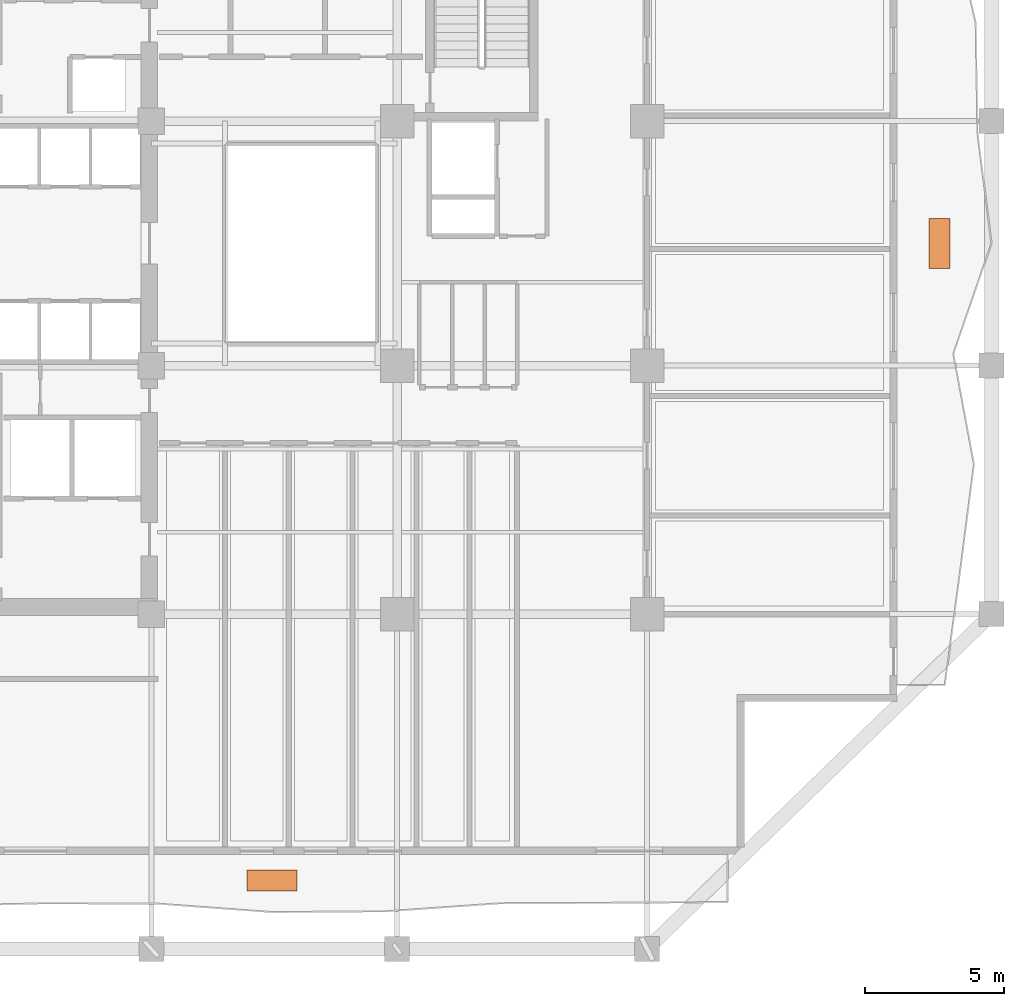
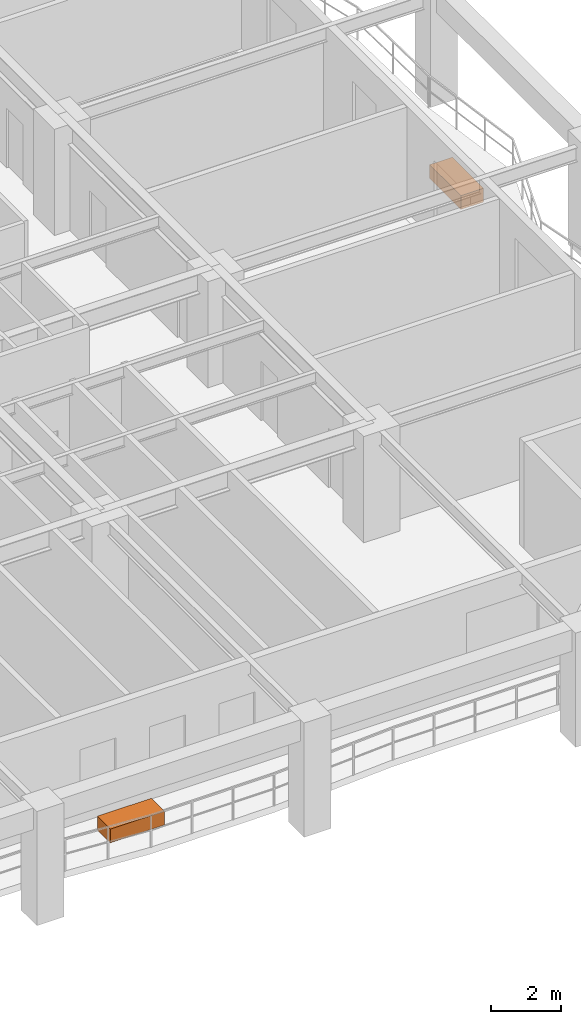
# One storey, part 14 of 14: 2 proxies.
"""IFC4 building model written with IfcOpenShell, lengths in metres."""

from ifc_helpers import new_model, si_unit, direction, frame, origin, origin_2d, place, context, subcontext, project, spatial, rectangle, extrude, material, type_object, element, save


model = new_model("IFC4")

# Units and contexts
model_context = context("Model", 3, precision=1e-05, world=origin(), true_north=direction((0.0, 1.0)))
body_context = subcontext(model_context, "Body", "Model", "MODEL_VIEW")
ifc_project = project(units=[si_unit("LENGTHUNIT", "METRE"), si_unit("AREAUNIT", "SQUARE_METRE"), si_unit("VOLUMEUNIT", "CUBIC_METRE"), si_unit("PLANEANGLEUNIT", "RADIAN"), si_unit("MASSUNIT", "GRAM", prefix="KILO")], contexts=[model_context])

# Site, building, storey
site_placement = place(None, origin())
site = spatial("IfcSite", under=ifc_project, at=site_placement, CompositionType="ELEMENT")
building_placement = place(site_placement, origin())
building = spatial("IfcBuilding", under=site, at=building_placement, Name="Kundavana Baori Tower", CompositionType="ELEMENT")
storey_placement = place(building_placement, frame((0.0, 0.0, 74.0)))
storey = spatial("IfcBuildingStorey", under=building, at=storey_placement, Name="L17", CompositionType="ELEMENT", Elevation=74.0)

# Proxies
ifc_material = material(Name="Red-Buff Dholpur Sandstone Cladding on Concrete C40/50", Category="masonry")
building_element_proxy_type = type_object("IfcBuildingElementProxyType", Name="PRX-PLANTER-1800", PredefinedType="USERDEFINED", material=ifc_material)
for number, where, z_axis, x_axis, name in (
    (1, (29.300048828125, 5.6650390625, 0.0), (0.0, 0.0, 1.0), (1.0, 0.0, 0.0), "L17 Dholpur Stone Structural Tree Planter S"),
    (2, (53.330078125, 28.60009765625, 0.0), (0.0, 0.0, 1.0), (0.0, 1.0, 0.0), "L17 Dholpur Stone Structural Tree Planter E"),
):
    element("IfcBuildingElementProxy", number, at=place(storey_placement, frame(where, z_axis=z_axis, x_axis=x_axis)), inside=storey, type_object=building_element_proxy_type, Name=name, ObjectType="PLANTER", PredefinedType="USERDEFINED", context=body_context, shape_type="SweptSolid", body=[
        extrude(rectangle(XDim=1.800048828125, YDim=0.75, at=origin_2d()), origin(), (0.0, 0.0, 1.0), 0.47998046875),
    ])

save(model, "model.ifc")
